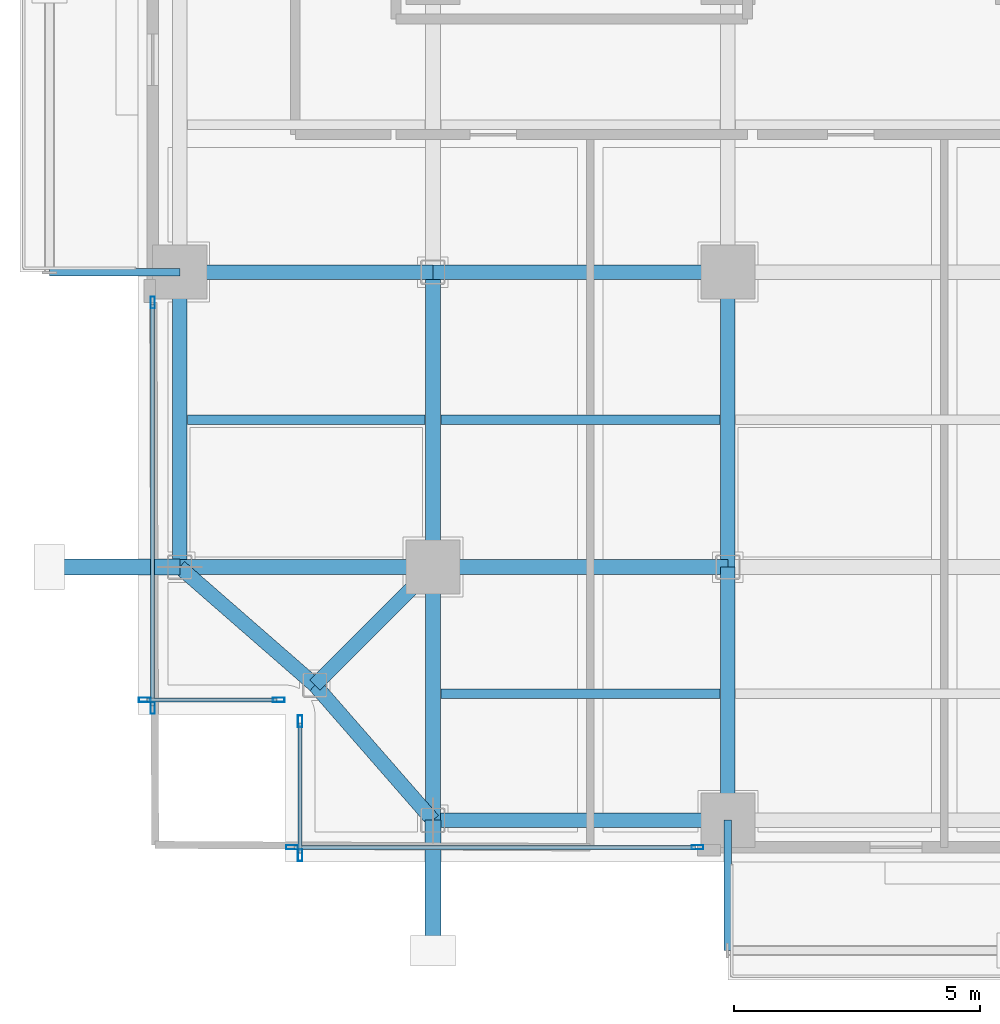
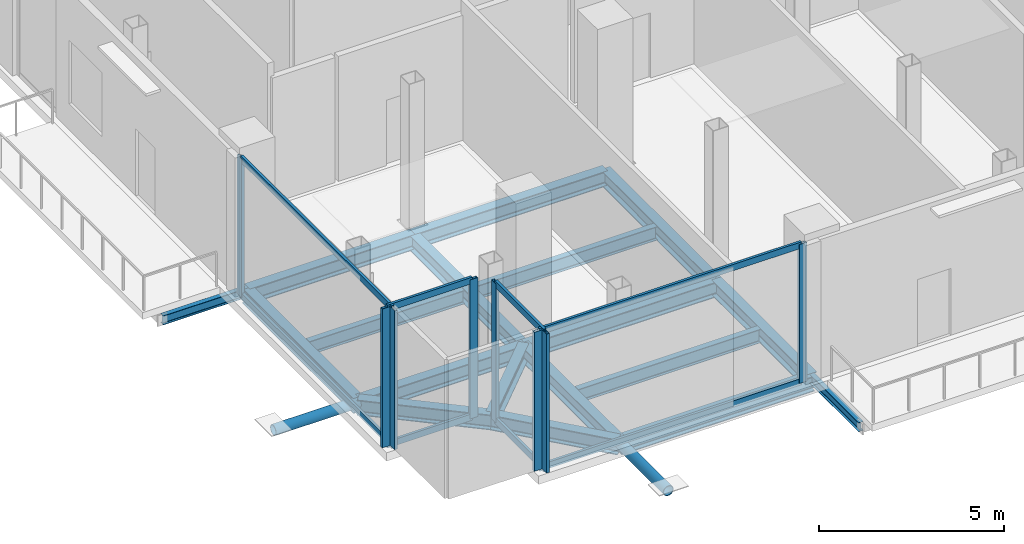
# One storey, part 2 of 25: 18 beams, 18 members, 4 elements without a shape of their own.
"""IFC4 building model written with IfcOpenShell, lengths in metres."""

from ifc_helpers import new_model, si_unit, direction, frame, origin, origin_2d, place, context, subcontext, project, spatial, hollow_rectangle, hollow_circle, i_section, extrude, material, layer, layer_set, material_profile, profile_set, type_object, element, aggregate, save


model = new_model("IFC4")

# Units and contexts
model_context = context("Model", 3, precision=1e-05, world=origin(), true_north=direction((0.0, 1.0)))
body_context = subcontext(model_context, "Body", "Model", "MODEL_VIEW")
ifc_project = project(units=[si_unit("LENGTHUNIT", "METRE"), si_unit("AREAUNIT", "SQUARE_METRE"), si_unit("VOLUMEUNIT", "CUBIC_METRE"), si_unit("PLANEANGLEUNIT", "RADIAN"), si_unit("MASSUNIT", "GRAM", prefix="KILO"), si_unit("THERMODYNAMICTEMPERATUREUNIT", "KELVIN"), si_unit("POWERUNIT", "WATT")], contexts=[model_context])

# Site, building, storey
site_placement = place(None, origin())
site = spatial("IfcSite", under=ifc_project, at=site_placement, CompositionType="ELEMENT")
building_placement = place(site_placement, origin())
building = spatial("IfcBuilding", under=site, at=building_placement, Name="Svarakhadi Broadcast Tower", CompositionType="ELEMENT")
storey_placement = place(building_placement, frame((0.0, 0.0, 110.85009765625)))
storey = spatial("IfcBuildingStorey", under=building, at=storey_placement, Name="L26", CompositionType="ELEMENT", Elevation=110.85009765625)

# Beams
ifc_material_1 = material(Name="Steel S355J2 (IS 2062 E350C)", Category="steel")
ifc_material_profile_1 = material_profile(ifc_material_1, i_section(OverallWidth=0.18994140625, OverallDepth=0.449951171875, WebThickness=0.009521484375, FlangeThickness=0.0146484375, FilletRadius=0.02099609375, at=origin_2d()), Name="NPB 450x190x78")
ifc_profile_set_1 = profile_set([ifc_material_profile_1], Name="Steel S355J2 (IS 2062 E350C)")
beam_type_1 = type_object("IfcBeamType", Name="Beam_NPB450", PredefinedType="BEAM", material=ifc_profile_set_1)
beam_1_placement = place(storey_placement, frame((1.010009765625, 9.0, -0.5), z_axis=(1.0, 0.0, 0.0), x_axis=(0.0, 1.0, 0.0)))
element("IfcBeam", 1, at=beam_1_placement, inside=storey, type_object=beam_type_1, Name="L26 Secondary Composite Beam SB001", PredefinedType="BEAM", context=body_context, shape_type="SweptSolid", body=[
    extrude(i_section(OverallWidth=0.18994140625, OverallDepth=0.449951171875, WebThickness=0.009521484375, FlangeThickness=0.0146484375, FilletRadius=0.02099609375, at=origin_2d()), origin(), (0.0, 0.0, 1.0), 4.830078125),
])
for number, where, z_axis, x_axis, name in (
    (2, (6.159912109375, 3.425048828125, -0.5), (1.0, 0.0, 0.0), (0.0, 1.0, 0.0), "L26 Secondary Composite Beam SB006"),
    (3, (6.159912109375, 9.0, -0.5), (1.0, 0.0, 0.0), (0.0, 1.0, 0.0), "L26 Secondary Composite Beam SB007"),
):
    element("IfcBeam", number, at=place(storey_placement, frame(where, z_axis=z_axis, x_axis=x_axis)), inside=storey, type_object=beam_type_1, Name=name, PredefinedType="BEAM", context=body_context, shape_type="SweptSolid", body=[
        extrude(i_section(OverallWidth=0.18994140625, OverallDepth=0.449951171875, WebThickness=0.009521484375, FlangeThickness=0.0146484375, FilletRadius=0.02099609375, at=origin_2d()), origin(), (0.0, 0.0, 1.0), 5.68017578125),
    ])

# Curtain wall, members
ifc_material_2 = material(Name="Anodised Bronze Aluminium AA 6063-T6", Category="aluminium")
ifc_layer = layer(ifc_material_2, 0.239990234375)
ifc_layer_set = layer_set([ifc_layer], Name="Anodised Bronze Aluminium AA 6063-T6")
curtain_wall_type = type_object("IfcCurtainWallType", Name="CW_Sys_06", PredefinedType="NOTDEFINED", material=ifc_layer_set)
curtain_wall_1_placement = place(storey_placement, origin())
curtain_wall_1 = element("IfcCurtainWall", 4, at=curtain_wall_1_placement, inside=storey, type_object=curtain_wall_type, Name="L26 Unitised Facade Curtain Wall 01", PredefinedType="NOTDEFINED")
ifc_material_profile_2 = material_profile(ifc_material_2, hollow_rectangle(XDim=0.090087890625, YDim=0.239990234375, WallThickness=0.006103515625, at=origin_2d()), Name="ALU MULLION 240x90x6")
ifc_profile_set_2 = profile_set([ifc_material_profile_2], Name="Anodised Bronze Aluminium AA 6063-T6")
member_type_1 = type_object("IfcMemberType", Name="CW_Sys_06_Mul", PredefinedType="MULLION", material=ifc_profile_set_2)
member_1_placement = place(storey_placement, frame((2.864990234375, 3.300048828125, 0.0), z_axis=(0.0, 0.0, 1.0), x_axis=(0.0, -1.0, 0.0)))
member_1 = element("IfcMember", 5, at=member_1_placement, type_object=member_type_1, Name="CW-06 mullion 1", PredefinedType="MULLION", context=body_context, shape_type="SweptSolid", body=[
    extrude(hollow_rectangle(XDim=0.090087890625, YDim=0.239990234375, WallThickness=0.006103515625, at=origin_2d()), origin(), (0.0, 0.0, 1.0), 4.574951171875),
])
member_2_placement = place(storey_placement, frame((0.135009765625, 3.300048828125, 0.0), z_axis=(0.0, 0.0, 1.0), x_axis=(0.0, -1.0, 0.0)))
member_2 = element("IfcMember", 6, at=member_2_placement, type_object=member_type_1, Name="CW-06 mullion 2", PredefinedType="MULLION", context=body_context, shape_type="SweptSolid", body=[
    extrude(hollow_rectangle(XDim=0.090087890625, YDim=0.239990234375, WallThickness=0.006103515625, at=origin_2d()), origin(), (0.0, 0.0, 1.0), 4.574951171875),
])

curtain_wall_2_placement = place(storey_placement, origin())
curtain_wall_2 = element("IfcCurtainWall", 7, at=curtain_wall_2_placement, inside=storey, type_object=curtain_wall_type, Name="L26 West Curtain Wall 02", PredefinedType="NOTDEFINED")
member_3_placement = place(storey_placement, frame((0.300048828125, 3.135009765625, 0.0), z_axis=(0.0, 0.0, 1.0), x_axis=(-1.0, 0.0, 0.0)))
member_3 = element("IfcMember", 8, at=member_3_placement, type_object=member_type_1, Name="CW-06 mullion 1", PredefinedType="MULLION", context=body_context, shape_type="SweptSolid", body=[
    extrude(hollow_rectangle(XDim=0.090087890625, YDim=0.239990234375, WallThickness=0.006103515625, at=origin_2d()), origin(), (0.0, 0.0, 1.0), 4.574951171875),
])
member_4_placement = place(storey_placement, frame((0.300048828125, 11.385009765625, 0.0), z_axis=(0.0, 0.0, 1.0), x_axis=(-1.0, 0.0, 0.0)))
member_4 = element("IfcMember", 9, at=member_4_placement, type_object=member_type_1, Name="CW-06 mullion 2", PredefinedType="MULLION", context=body_context, shape_type="SweptSolid", body=[
    extrude(hollow_rectangle(XDim=0.090087890625, YDim=0.239990234375, WallThickness=0.006103515625, at=origin_2d()), origin(), (0.0, 0.0, 1.0), 4.574951171875),
])

curtain_wall_3_placement = place(storey_placement, origin())
curtain_wall_3 = element("IfcCurtainWall", 10, at=curtain_wall_3_placement, inside=storey, type_object=curtain_wall_type, Name="L26 South Curtain Wall 17", PredefinedType="NOTDEFINED")
member_5_placement = place(storey_placement, frame((11.385009765625, 0.300048828125, 0.0), z_axis=(0.0, 0.0, 1.0), x_axis=(0.0, -1.0, 0.0)))
member_5 = element("IfcMember", 11, at=member_5_placement, type_object=member_type_1, Name="CW-06 mullion 1", PredefinedType="MULLION", context=body_context, shape_type="SweptSolid", body=[
    extrude(hollow_rectangle(XDim=0.090087890625, YDim=0.239990234375, WallThickness=0.006103515625, at=origin_2d()), origin(), (0.0, 0.0, 1.0), 4.574951171875),
])
member_6_placement = place(storey_placement, frame((3.135009765625, 0.300048828125, 0.0), z_axis=(0.0, 0.0, 1.0), x_axis=(0.0, -1.0, 0.0)))
member_6 = element("IfcMember", 12, at=member_6_placement, type_object=member_type_1, Name="CW-06 mullion 2", PredefinedType="MULLION", context=body_context, shape_type="SweptSolid", body=[
    extrude(hollow_rectangle(XDim=0.090087890625, YDim=0.239990234375, WallThickness=0.006103515625, at=origin_2d()), origin(), (0.0, 0.0, 1.0), 4.574951171875),
])

curtain_wall_4_placement = place(storey_placement, origin())
curtain_wall_4 = element("IfcCurtainWall", 13, at=curtain_wall_4_placement, inside=storey, type_object=curtain_wall_type, Name="L26 Unitised Facade Curtain Wall 18", PredefinedType="NOTDEFINED")
member_7_placement = place(storey_placement, frame((3.300048828125, 0.135009765625, 0.0), z_axis=(0.0, 0.0, 1.0), x_axis=(-1.0, 0.0, 0.0)))
member_7 = element("IfcMember", 14, at=member_7_placement, type_object=member_type_1, Name="CW-06 mullion 1", PredefinedType="MULLION", context=body_context, shape_type="SweptSolid", body=[
    extrude(hollow_rectangle(XDim=0.090087890625, YDim=0.239990234375, WallThickness=0.006103515625, at=origin_2d()), origin(), (0.0, 0.0, 1.0), 4.574951171875),
])
member_8_placement = place(storey_placement, frame((3.300048828125, 2.864990234375, 0.0), z_axis=(0.0, 0.0, 1.0), x_axis=(-1.0, 0.0, 0.0)))
member_8 = element("IfcMember", 15, at=member_8_placement, type_object=member_type_1, Name="CW-06 mullion 2", PredefinedType="MULLION", context=body_context, shape_type="SweptSolid", body=[
    extrude(hollow_rectangle(XDim=0.090087890625, YDim=0.239990234375, WallThickness=0.006103515625, at=origin_2d()), origin(), (0.0, 0.0, 1.0), 4.574951171875),
])

# Member
ifc_material_profile_3 = material_profile(ifc_material_2, hollow_rectangle(XDim=0.080078125, YDim=0.2099609375, WallThickness=0.0048828125, at=origin_2d()), Name="ALU TRANSOM 210x80x5")
ifc_profile_set_3 = profile_set([ifc_material_profile_3], Name="Anodised Bronze Aluminium AA 6063-T6")
member_type_2 = type_object("IfcMemberType", Name="CW_Sys_06_Trn", PredefinedType="USERDEFINED", material=ifc_profile_set_3)
member_9_placement = place(storey_placement, frame((2.820068359375, 3.300048828125, 0.039794921875), z_axis=(-1.0, 0.0, 0.0), x_axis=(0.0, -1.0, 0.0)))
member_9 = element("IfcMember", 16, at=member_9_placement, type_object=member_type_2, Name="CW-06 transom 1.1", ObjectType="TRANSOM", PredefinedType="USERDEFINED", context=body_context, shape_type="SweptSolid", body=[
    extrude(hollow_rectangle(XDim=0.080078125, YDim=0.2099609375, WallThickness=0.0048828125, at=origin_2d()), origin(), (0.0, 0.0, 1.0), 2.64013671875),
])

member_10_placement = place(storey_placement, frame((2.820068359375, 3.300048828125, 4.534912109375), z_axis=(-1.0, 0.0, 0.0), x_axis=(0.0, -1.0, 0.0)))
member_10 = element("IfcMember", 17, at=member_10_placement, type_object=member_type_2, Name="CW-06 transom 1.2", ObjectType="TRANSOM", PredefinedType="USERDEFINED", context=body_context, shape_type="SweptSolid", body=[
    extrude(hollow_rectangle(XDim=0.080078125, YDim=0.2099609375, WallThickness=0.0048828125, at=origin_2d()), origin(), (0.0, 0.0, 1.0), 2.64013671875),
])

aggregate(curtain_wall_1, [member_1, member_2, member_9, member_10])

member_11_placement = place(storey_placement, frame((0.300048828125, 3.179931640625, 0.039794921875), z_axis=(0.0, 1.0, 0.0), x_axis=(-1.0, 0.0, 0.0)))
member_11 = element("IfcMember", 18, at=member_11_placement, type_object=member_type_2, Name="CW-06 transom 1.1", ObjectType="TRANSOM", PredefinedType="USERDEFINED", context=body_context, shape_type="SweptSolid", body=[
    extrude(hollow_rectangle(XDim=0.080078125, YDim=0.2099609375, WallThickness=0.0048828125, at=origin_2d()), origin(), (0.0, 0.0, 1.0), 8.16015625),
])

member_12_placement = place(storey_placement, frame((0.300048828125, 3.179931640625, 4.534912109375), z_axis=(0.0, 1.0, 0.0), x_axis=(-1.0, 0.0, 0.0)))
member_12 = element("IfcMember", 19, at=member_12_placement, type_object=member_type_2, Name="CW-06 transom 1.2", ObjectType="TRANSOM", PredefinedType="USERDEFINED", context=body_context, shape_type="SweptSolid", body=[
    extrude(hollow_rectangle(XDim=0.080078125, YDim=0.2099609375, WallThickness=0.0048828125, at=origin_2d()), origin(), (0.0, 0.0, 1.0), 8.16015625),
])

aggregate(curtain_wall_2, [member_3, member_4, member_11, member_12])

member_13_placement = place(storey_placement, frame((11.340087890625, 0.300048828125, 0.039794921875), z_axis=(-1.0, 0.0, 0.0), x_axis=(0.0, -1.0, 0.0)))
member_13 = element("IfcMember", 20, at=member_13_placement, type_object=member_type_2, Name="CW-06 transom 1.1", ObjectType="TRANSOM", PredefinedType="USERDEFINED", context=body_context, shape_type="SweptSolid", body=[
    extrude(hollow_rectangle(XDim=0.080078125, YDim=0.2099609375, WallThickness=0.0048828125, at=origin_2d()), origin(), (0.0, 0.0, 1.0), 8.16015625),
])

member_14_placement = place(storey_placement, frame((11.340087890625, 0.300048828125, 4.534912109375), z_axis=(-1.0, 0.0, 0.0), x_axis=(0.0, -1.0, 0.0)))
member_14 = element("IfcMember", 21, at=member_14_placement, type_object=member_type_2, Name="CW-06 transom 1.2", ObjectType="TRANSOM", PredefinedType="USERDEFINED", context=body_context, shape_type="SweptSolid", body=[
    extrude(hollow_rectangle(XDim=0.080078125, YDim=0.2099609375, WallThickness=0.0048828125, at=origin_2d()), origin(), (0.0, 0.0, 1.0), 8.16015625),
])

aggregate(curtain_wall_3, [member_5, member_6, member_13, member_14])

member_15_placement = place(storey_placement, frame((3.300048828125, 0.179931640625, 0.039794921875), z_axis=(0.0, 1.0, 0.0), x_axis=(-1.0, 0.0, 0.0)))
member_15 = element("IfcMember", 22, at=member_15_placement, type_object=member_type_2, Name="CW-06 transom 1.1", ObjectType="TRANSOM", PredefinedType="USERDEFINED", context=body_context, shape_type="SweptSolid", body=[
    extrude(hollow_rectangle(XDim=0.080078125, YDim=0.2099609375, WallThickness=0.0048828125, at=origin_2d()), origin(), (0.0, 0.0, 1.0), 2.64013671875),
])

member_16_placement = place(storey_placement, frame((3.300048828125, 0.179931640625, 4.534912109375), z_axis=(0.0, 1.0, 0.0), x_axis=(-1.0, 0.0, 0.0)))
member_16 = element("IfcMember", 23, at=member_16_placement, type_object=member_type_2, Name="CW-06 transom 1.2", ObjectType="TRANSOM", PredefinedType="USERDEFINED", context=body_context, shape_type="SweptSolid", body=[
    extrude(hollow_rectangle(XDim=0.080078125, YDim=0.2099609375, WallThickness=0.0048828125, at=origin_2d()), origin(), (0.0, 0.0, 1.0), 2.64013671875),
])

aggregate(curtain_wall_4, [member_7, member_8, member_15, member_16])

# Members
ifc_material_3 = material(Name="Steel S460ML (IS 2062 E450BR)", Category="steel")
ifc_material_profile_4 = material_profile(ifc_material_3, hollow_circle(Radius=0.161865234375, WallThickness=0.01611328125, at=origin_2d()), Name="CHS 323.9x16")
ifc_profile_set_4 = profile_set([ifc_material_profile_4], Name="Steel S460ML (IS 2062 E450BR)")
member_type_3 = type_object("IfcMemberType", Name="Exo_Radial_Strut_Z2", PredefinedType="STRUT", material=ifc_profile_set_4)
for number, where, z_axis, x_axis, name in (
    (24, (6.0, -1.800048828125, -0.43701171875), (0.0, 1.0, 0.0), (-1.0, 0.0, 0.0), "L26 Exoskeleton Radial Tie Strut S01"),
    (25, (-1.800048828125, 6.0, -0.43701171875), (1.0, 0.0, 0.0), (0.0, 1.0, 0.0), "L26 Exoskeleton Radial Tie Strut W05"),
):
    element("IfcMember", number, at=place(storey_placement, frame(where, z_axis=z_axis, x_axis=x_axis)), inside=storey, type_object=member_type_3, Name=name, PredefinedType="STRUT", context=body_context, shape_type="SweptSolid", body=[
        extrude(hollow_circle(Radius=0.161865234375, WallThickness=0.01611328125, at=origin_2d()), origin(), (0.0, 0.0, 1.0), 2.650146484375),
    ])

# Beams
ifc_material_profile_5 = material_profile(ifc_material_1, i_section(OverallWidth=0.300048828125, OverallDepth=0.5, WebThickness=0.014404296875, FlangeThickness=0.028076171875, FilletRadius=0.027099609375, at=origin_2d()), Name="WPB 500x300x187")
ifc_profile_set_5 = profile_set([ifc_material_profile_5], Name="Steel S355J2 (IS 2062 E350C)")
beam_type_2 = type_object("IfcBeamType", Name="Girder_WPB500", PredefinedType="USERDEFINED", material=ifc_profile_set_5)
beam_2_placement = place(storey_placement, frame((3.60009765625, 3.60009765625, -0.525146484375), z_axis=(0.707106781187, 0.707106781187, 0.0), x_axis=(-0.707106781187, 0.707106781187, 0.0)))
element("IfcBeam", 26, at=beam_2_placement, inside=storey, type_object=beam_type_2, Name="L26 Corner Tie Girder G001", ObjectType="GIRDER", PredefinedType="USERDEFINED", context=body_context, shape_type="SweptSolid", body=[
    extrude(i_section(OverallWidth=0.300048828125, OverallDepth=0.5, WebThickness=0.014404296875, FlangeThickness=0.028076171875, FilletRadius=0.027099609375, at=origin_2d()), origin(), (0.0, 0.0, 1.0), 3.39404296875),
])
for number, where, z_axis, x_axis, name in (
    (27, (3.60009765625, 3.60009765625, -0.525146484375), (-0.753437912176, 0.657519058655, 0.0), (-0.657519058655, -0.753437912176, 0.0), "L26 Corner Tie Girder G002"),
    (28, (3.60009765625, 3.60009765625, -0.525146484375), (0.657519058655, -0.753437912176, 0.0), (0.753437912176, 0.657519058655, 0.0), "L26 Corner Tie Girder G003"),
):
    element("IfcBeam", number, at=place(storey_placement, frame(where, z_axis=z_axis, x_axis=x_axis)), inside=storey, type_object=beam_type_2, Name=name, ObjectType="GIRDER", PredefinedType="USERDEFINED", context=body_context, shape_type="SweptSolid", body=[
        extrude(i_section(OverallWidth=0.300048828125, OverallDepth=0.5, WebThickness=0.014404296875, FlangeThickness=0.028076171875, FilletRadius=0.027099609375, at=origin_2d()), origin(), (0.0, 0.0, 1.0), 3.64990234375),
    ])
beam_3_placement = place(storey_placement, frame((6.0, 0.85009765625, -0.525146484375), z_axis=(1.0, 0.0, 0.0), x_axis=(0.0, 1.0, 0.0)))
element("IfcBeam", 29, at=beam_3_placement, inside=storey, type_object=beam_type_2, Name="L26 Primary E-W Girder G004", ObjectType="GIRDER", PredefinedType="USERDEFINED", context=body_context, shape_type="SweptSolid", body=[
    extrude(i_section(OverallWidth=0.300048828125, OverallDepth=0.5, WebThickness=0.014404296875, FlangeThickness=0.028076171875, FilletRadius=0.027099609375, at=origin_2d()), origin(), (0.0, 0.0, 1.0), 6.0),
])
beam_4_placement = place(storey_placement, frame((0.85009765625, 6.0, -0.525146484375), z_axis=(1.0, 0.0, 0.0), x_axis=(0.0, 1.0, 0.0)))
element("IfcBeam", 30, at=beam_4_placement, inside=storey, type_object=beam_type_2, Name="L26 Primary E-W Girder G010", ObjectType="GIRDER", PredefinedType="USERDEFINED", context=body_context, shape_type="SweptSolid", body=[
    extrude(i_section(OverallWidth=0.300048828125, OverallDepth=0.5, WebThickness=0.014404296875, FlangeThickness=0.028076171875, FilletRadius=0.027099609375, at=origin_2d()), origin(), (0.0, 0.0, 1.0), 5.14990234375),
])
beam_5_placement = place(storey_placement, frame((6.0, 6.0, -0.525146484375), z_axis=(1.0, 0.0, 0.0), x_axis=(0.0, 1.0, 0.0)))
element("IfcBeam", 31, at=beam_5_placement, inside=storey, type_object=beam_type_2, Name="L26 Primary E-W Girder G011", ObjectType="GIRDER", PredefinedType="USERDEFINED", context=body_context, shape_type="SweptSolid", body=[
    extrude(i_section(OverallWidth=0.300048828125, OverallDepth=0.5, WebThickness=0.014404296875, FlangeThickness=0.028076171875, FilletRadius=0.027099609375, at=origin_2d()), origin(), (0.0, 0.0, 1.0), 6.0),
])
beam_6_placement = place(storey_placement, frame((0.85009765625, 12.0, -0.525146484375), z_axis=(1.0, 0.0, 0.0), x_axis=(0.0, 1.0, 0.0)))
element("IfcBeam", 32, at=beam_6_placement, inside=storey, type_object=beam_type_2, Name="L26 Primary E-W Girder G017", ObjectType="GIRDER", PredefinedType="USERDEFINED", context=body_context, shape_type="SweptSolid", body=[
    extrude(i_section(OverallWidth=0.300048828125, OverallDepth=0.5, WebThickness=0.014404296875, FlangeThickness=0.028076171875, FilletRadius=0.027099609375, at=origin_2d()), origin(), (0.0, 0.0, 1.0), 5.14990234375),
])
for number, where, z_axis, x_axis, name in (
    (33, (6.0, 12.0, -0.525146484375), (1.0, 0.0, 0.0), (0.0, 1.0, 0.0), "L26 Primary E-W Girder G018"),
    (34, (0.85009765625, 6.0, -0.525146484375), (0.0, 1.0, 0.0), (-1.0, 0.0, 0.0), "L26 Primary N-S Girder G040"),
):
    element("IfcBeam", number, at=place(storey_placement, frame(where, z_axis=z_axis, x_axis=x_axis)), inside=storey, type_object=beam_type_2, Name=name, ObjectType="GIRDER", PredefinedType="USERDEFINED", context=body_context, shape_type="SweptSolid", body=[
        extrude(i_section(OverallWidth=0.300048828125, OverallDepth=0.5, WebThickness=0.014404296875, FlangeThickness=0.028076171875, FilletRadius=0.027099609375, at=origin_2d()), origin(), (0.0, 0.0, 1.0), 6.0),
    ])
beam_7_placement = place(storey_placement, frame((6.0, 0.85009765625, -0.525146484375), z_axis=(0.0, 1.0, 0.0), x_axis=(-1.0, 0.0, 0.0)))
element("IfcBeam", 35, at=beam_7_placement, inside=storey, type_object=beam_type_2, Name="L26 Primary N-S Girder G045", ObjectType="GIRDER", PredefinedType="USERDEFINED", context=body_context, shape_type="SweptSolid", body=[
    extrude(i_section(OverallWidth=0.300048828125, OverallDepth=0.5, WebThickness=0.014404296875, FlangeThickness=0.028076171875, FilletRadius=0.027099609375, at=origin_2d()), origin(), (0.0, 0.0, 1.0), 5.14990234375),
])
beam_8_placement = place(storey_placement, frame((6.0, 6.0, -0.525146484375), z_axis=(0.0, 1.0, 0.0), x_axis=(-1.0, 0.0, 0.0)))
element("IfcBeam", 36, at=beam_8_placement, inside=storey, type_object=beam_type_2, Name="L26 Primary N-S Girder G046", ObjectType="GIRDER", PredefinedType="USERDEFINED", context=body_context, shape_type="SweptSolid", body=[
    extrude(i_section(OverallWidth=0.300048828125, OverallDepth=0.5, WebThickness=0.014404296875, FlangeThickness=0.028076171875, FilletRadius=0.027099609375, at=origin_2d()), origin(), (0.0, 0.0, 1.0), 6.0),
])
beam_9_placement = place(storey_placement, frame((12.0, 0.85009765625, -0.525146484375), z_axis=(0.0, 1.0, 0.0), x_axis=(-1.0, 0.0, 0.0)))
element("IfcBeam", 37, at=beam_9_placement, inside=storey, type_object=beam_type_2, Name="L26 Primary N-S Girder G051", ObjectType="GIRDER", PredefinedType="USERDEFINED", context=body_context, shape_type="SweptSolid", body=[
    extrude(i_section(OverallWidth=0.300048828125, OverallDepth=0.5, WebThickness=0.014404296875, FlangeThickness=0.028076171875, FilletRadius=0.027099609375, at=origin_2d()), origin(), (0.0, 0.0, 1.0), 5.14990234375),
])
beam_10_placement = place(storey_placement, frame((12.0, 6.0, -0.525146484375), z_axis=(0.0, 1.0, 0.0), x_axis=(-1.0, 0.0, 0.0)))
element("IfcBeam", 38, at=beam_10_placement, inside=storey, type_object=beam_type_2, Name="L26 Primary N-S Girder G052", ObjectType="GIRDER", PredefinedType="USERDEFINED", context=body_context, shape_type="SweptSolid", body=[
    extrude(i_section(OverallWidth=0.300048828125, OverallDepth=0.5, WebThickness=0.014404296875, FlangeThickness=0.028076171875, FilletRadius=0.027099609375, at=origin_2d()), origin(), (0.0, 0.0, 1.0), 6.0),
])
ifc_material_profile_6 = material_profile(ifc_material_1, i_section(OverallWidth=0.14990234375, OverallDepth=0.300048828125, WebThickness=0.007080078125, FlangeThickness=0.0107421875, FilletRadius=0.014892578125, at=origin_2d()), Name="NPB 300x150x37")
ifc_profile_set_6 = profile_set([ifc_material_profile_6], Name="Steel S355J2 (IS 2062 E350C)")
beam_type_3 = type_object("IfcBeamType", Name="Spandrel_NPB300", PredefinedType="SPANDREL", material=ifc_profile_set_6)
for number, where, z_axis, x_axis, name in (
    (39, (12.0, 0.85009765625, -0.425048828125), (0.0, -1.0, 0.0), (1.0, 0.0, 0.0), "L26 Balcony Cantilever Bracket 1A"),
    (40, (0.85009765625, 12.0, -0.425048828125), (-1.0, 0.0, 0.0), (0.0, -1.0, 0.0), "L26 Balcony Cantilever Bracket 2A"),
):
    element("IfcBeam", number, at=place(storey_placement, frame(where, z_axis=z_axis, x_axis=x_axis)), inside=storey, type_object=beam_type_3, Name=name, PredefinedType="SPANDREL", context=body_context, shape_type="SweptSolid", body=[
        extrude(i_section(OverallWidth=0.14990234375, OverallDepth=0.300048828125, WebThickness=0.007080078125, FlangeThickness=0.0107421875, FilletRadius=0.014892578125, at=origin_2d()), origin(), (0.0, 0.0, 1.0), 2.650146484375),
    ])

save(model, "model.ifc")
